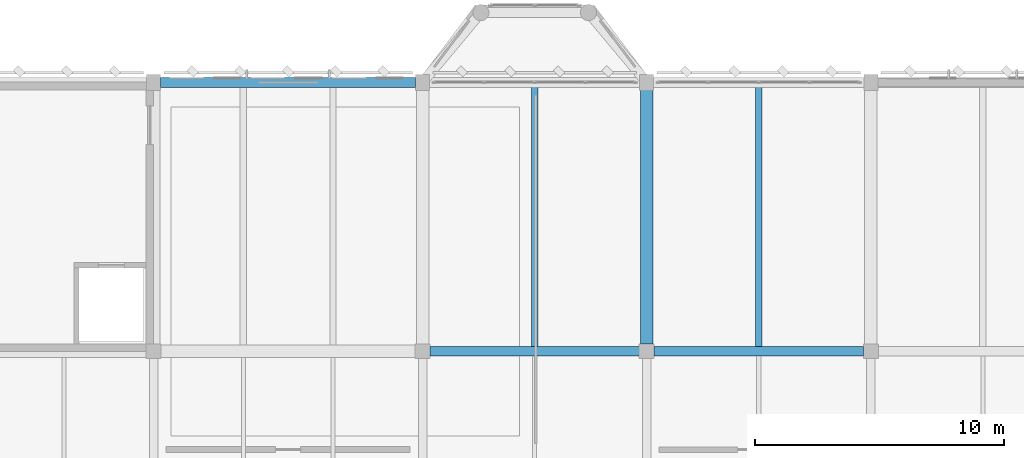
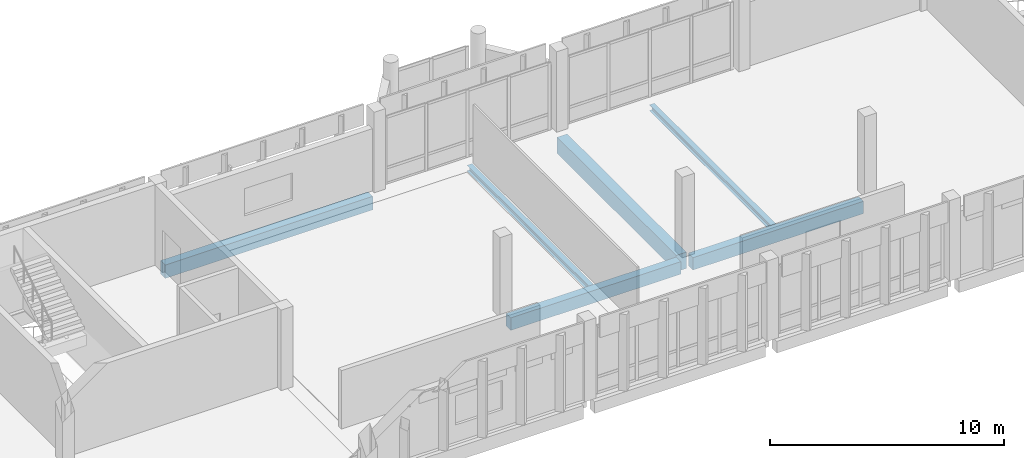
# One storey, part 61 of 158: 6 beams.
"""IFC4 building model written with IfcOpenShell, lengths in metres."""

from ifc_helpers import new_model, si_unit, direction, frame, origin, origin_2d, place, context, subcontext, project, spatial, rectangle, i_section, extrude, material, material_profile, profile_set, type_object, element, save


model = new_model("IFC4")

# Units and contexts
model_context = context("Model", 3, precision=1e-05, world=origin(), true_north=direction((0.0, 1.0)))
body_context = subcontext(model_context, "Body", "Model", "MODEL_VIEW")
ifc_project = project(units=[si_unit("LENGTHUNIT", "METRE"), si_unit("AREAUNIT", "SQUARE_METRE"), si_unit("VOLUMEUNIT", "CUBIC_METRE"), si_unit("PLANEANGLEUNIT", "RADIAN"), si_unit("MASSUNIT", "GRAM", prefix="KILO")], contexts=[model_context])

# Site, building, storey
site_placement = place(None, origin())
site = spatial("IfcSite", under=ifc_project, at=site_placement, CompositionType="ELEMENT")
building_placement = place(site_placement, origin())
building = spatial("IfcBuilding", under=site, at=building_placement, Name="Lusvemor Sports Hall", CompositionType="ELEMENT")
storey_placement = place(building_placement, frame((0.0, 0.0, 10.800048828125)))
storey = spatial("IfcBuildingStorey", under=building, at=storey_placement, Name="L02", CompositionType="ELEMENT", Elevation=10.800048828125)

# Beams
ifc_material_1 = material(Name="Concrete C40/50", Category="concrete")
ifc_material_profile_1 = material_profile(ifc_material_1, rectangle(XDim=0.39990234375, YDim=0.64990234375, at=origin_2d()), Name="RC400x650")
ifc_profile_set_1 = profile_set([ifc_material_profile_1], Name="Concrete C40/50")
beam_type_1 = type_object("IfcBeamType", Name="BEAM_RC_650", PredefinedType="BEAM", material=ifc_profile_set_1)
for number, where, z_axis, x_axis, name in (
    (1, (75.89599609375, 104.39990234375, -0.5849609375), (1.0, 0.0, 0.0), (0.0, 1.0, 0.0), "Beam L02 P:8-9"),
    (2, (84.89599609375, 104.39990234375, -0.5849609375), (1.0, 0.0, 0.0), (0.0, 1.0, 0.0), "Beam L02 P:9-10"),
):
    element("IfcBeam", number, at=place(storey_placement, frame(where, z_axis=z_axis, x_axis=x_axis)), inside=storey, type_object=beam_type_1, Name=name, PredefinedType="BEAM", context=body_context, shape_type="SweptSolid", body=[
        extrude(rectangle(XDim=0.39990234375, YDim=0.64990234375, at=origin_2d()), origin(), (0.0, 0.0, 1.0), 8.407958984375),
    ])
ifc_material_2 = material(Name="Concrete C40/50", Category="concrete")
ifc_material_profile_2 = material_profile(ifc_material_2, rectangle(XDim=0.5, YDim=0.85009765625, at=origin_2d()), Name="RC500x850")
ifc_profile_set_2 = profile_set([ifc_material_profile_2], Name="Concrete C40/50")
beam_type_2 = type_object("IfcBeamType", Name="GIRD_RC_850", PredefinedType="T_BEAM", material=ifc_profile_set_2)
beam_1_placement = place(storey_placement, frame((84.60009765625, 104.696044921875, -0.68505859375), z_axis=(0.0, 1.0, 0.0), x_axis=(-1.0, 0.0, 0.0)))
element("IfcBeam", 3, at=beam_1_placement, inside=storey, type_object=beam_type_2, Name="Beam L02 9:P-Q", PredefinedType="T_BEAM", context=body_context, shape_type="SweptSolid", body=[
    extrude(rectangle(XDim=0.5, YDim=0.85009765625, at=origin_2d()), origin(), (0.0, 0.0, 1.0), 10.18798828125),
])
ifc_material_3 = material(Name="Steel S355", Category="steel")
ifc_material_profile_3 = material_profile(ifc_material_3, i_section(OverallWidth=0.25390625, OverallDepth=0.305908203125, WebThickness=0.0087890625, FlangeThickness=0.0146484375, FilletRadius=0.014892578125, at=origin_2d()), Name="W310x79.0")
ifc_profile_set_3 = profile_set([ifc_material_profile_3], Name="Steel S355")
beam_type_3 = type_object("IfcBeamType", Name="JOIST_ST_310H", PredefinedType="JOIST", material=ifc_profile_set_3)
for number, where, z_axis, x_axis, name in (
    (4, (80.10009765625, 104.595947265625, -0.4169921875), (0.0, 1.0, 0.0), (-1.0, 0.0, 0.0), "Secondary Joist L02 8-9/P-Q #1"),
    (5, (89.10009765625, 104.595947265625, -0.4169921875), (0.0, 1.0, 0.0), (-1.0, 0.0, 0.0), "Secondary Joist L02 9-10/P-Q #1"),
):
    element("IfcBeam", number, at=place(storey_placement, frame(where, z_axis=z_axis, x_axis=x_axis)), inside=storey, type_object=beam_type_3, Name=name, PredefinedType="JOIST", context=body_context, shape_type="SweptSolid", body=[
        extrude(i_section(OverallWidth=0.25390625, OverallDepth=0.305908203125, WebThickness=0.0087890625, FlangeThickness=0.0146484375, FilletRadius=0.014892578125, at=origin_2d()), origin(), (0.0, 0.0, 1.0), 10.407958984375),
    ])
ifc_material_4 = material(Name="Concrete C40/50", Category="concrete")
ifc_material_profile_4 = material_profile(ifc_material_4, rectangle(XDim=0.39990234375, YDim=0.699951171875, at=origin_2d()), Name="RC400x700")
ifc_profile_set_4 = profile_set([ifc_material_profile_4], Name="Concrete C40/50")
beam_type_4 = type_object("IfcBeamType", Name="SPAND_EXT_700", PredefinedType="SPANDREL", material=ifc_profile_set_4)
beam_2_placement = place(storey_placement, frame((65.075927734375, 115.199951171875, -0.610107421875), z_axis=(1.0, 0.0, 0.0), x_axis=(0.0, 1.0, 0.0)))
element("IfcBeam", 6, at=beam_2_placement, inside=storey, type_object=beam_type_4, Name="Beam L02 Q:7-8", PredefinedType="SPANDREL", context=body_context, shape_type="SweptSolid", body=[
    extrude(rectangle(XDim=0.39990234375, YDim=0.699951171875, at=origin_2d()), origin(), (0.0, 0.0, 1.0), 10.248046875),
])

save(model, "model.ifc")
